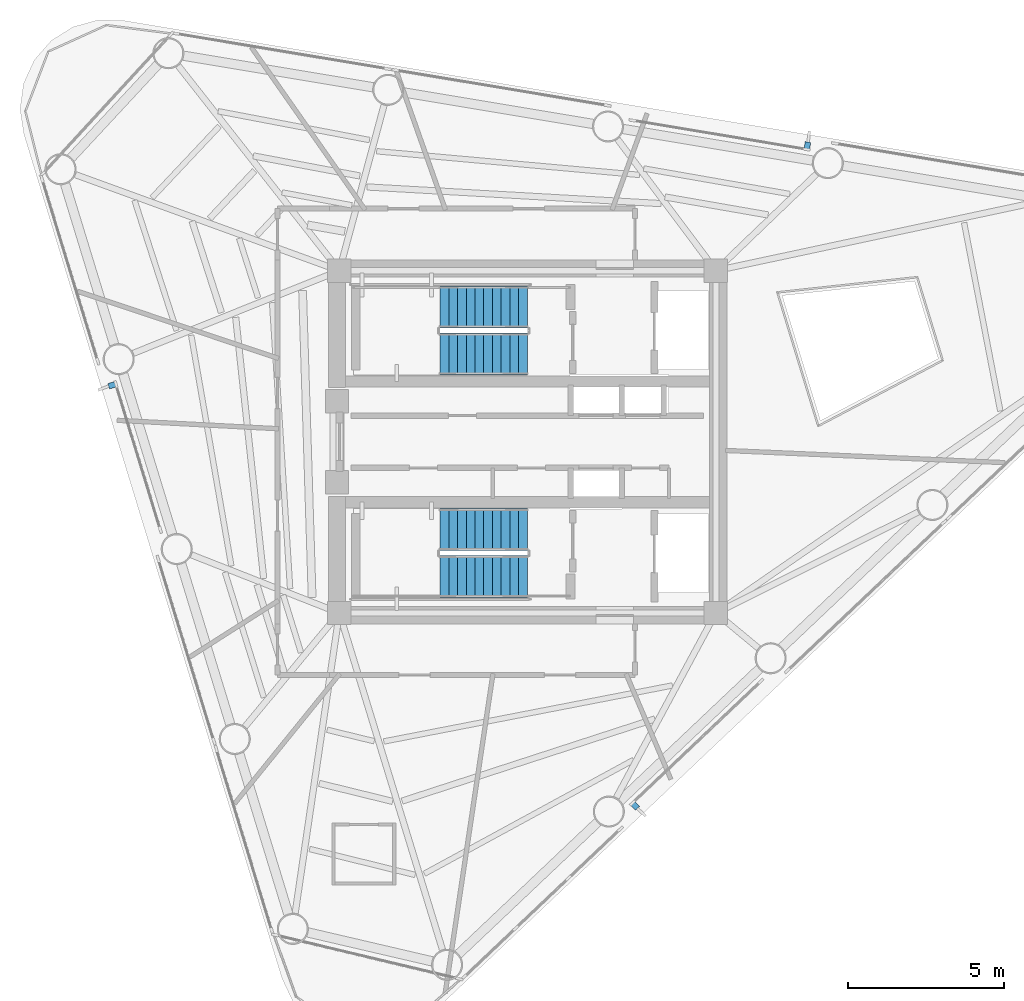
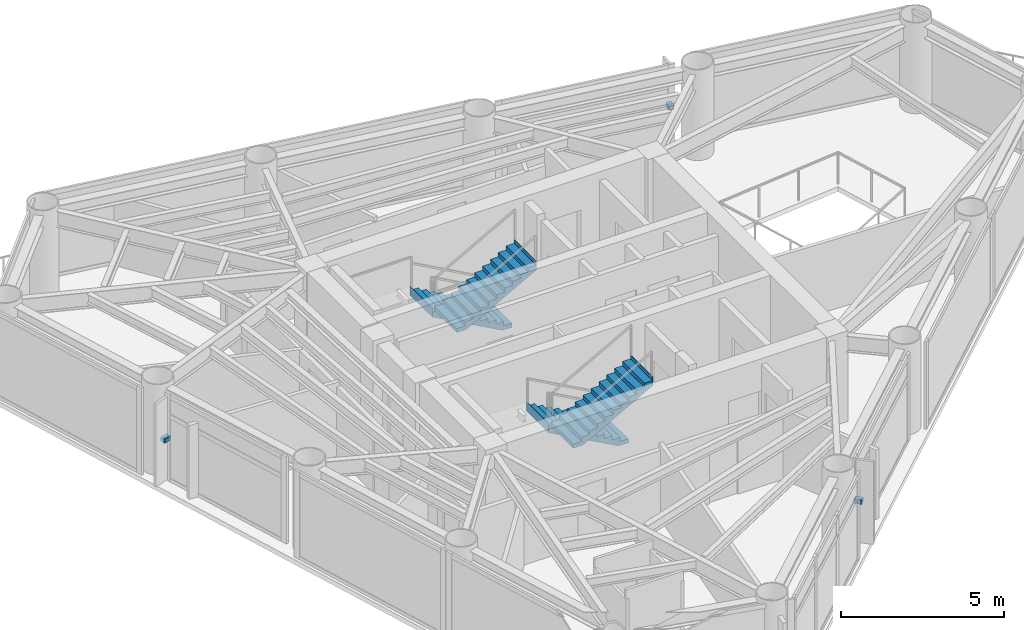
# One storey, part 7 of 9: 4 stair flights, 3 discrete accessories, 2 elements without a shape of their own.
"""IFC4 building model written with IfcOpenShell, lengths in metres."""

from ifc_helpers import new_model, si_unit, direction, frame, origin, origin_2d, place, context, subcontext, project, spatial, polyline, rectangle, outline, extrude, source, transform, mapped, material, type_object, element, aggregate, save


model = new_model("IFC4")

# Units and contexts
model_context = context("Model", 3, precision=1e-05, world=origin(), true_north=direction((0.0, 1.0)))
body_context = subcontext(model_context, "Body", "Model", "MODEL_VIEW")
ifc_project = project(units=[si_unit("LENGTHUNIT", "METRE"), si_unit("AREAUNIT", "SQUARE_METRE"), si_unit("VOLUMEUNIT", "CUBIC_METRE"), si_unit("PLANEANGLEUNIT", "RADIAN"), si_unit("MASSUNIT", "GRAM", prefix="KILO")], contexts=[model_context])

# Site, building, storey
site_placement = place(None, origin())
site = spatial("IfcSite", under=ifc_project, at=site_placement, CompositionType="ELEMENT")
building_placement = place(site_placement, origin())
building = spatial("IfcBuilding", under=site, at=building_placement, Name="Yunling Apex Tower", CompositionType="ELEMENT")
storey_placement = place(building_placement, frame((0.0, 0.0, 232.050048828125)))
storey = spatial("IfcBuildingStorey", under=building, at=storey_placement, Name="L56", CompositionType="ELEMENT", Elevation=232.050048828125)

# Stair, stair flights
ifc_material_1 = material(Name="Concrete C40", Category="concrete")
stair_type = type_object("IfcStairType", Name="ST-TWR-3", PredefinedType="HALF_TURN_STAIR", material=ifc_material_1)
stair_1_placement = place(storey_placement, origin())
stair_1 = element("IfcStair", 1, at=stair_1_placement, inside=storey, type_object=stair_type, Name="L56 North Core Smokeproof Exit Stair ST-1", PredefinedType="HALF_TURN_STAIR")
stair_flight_type = type_object("IfcStairFlightType", Name="SFL-TWR-3", PredefinedType="STRAIGHT", material=ifc_material_1)
stair_flight_1_placement = place(storey_placement, frame((-0.010009765625, 4.330078125, 0.0), z_axis=(0.0, 0.0, 1.0), x_axis=(-1.0, 0.0, 0.0)))
stair_flight_1 = element("IfcStairFlight", 2, at=stair_flight_1_placement, type_object=stair_flight_type, Name="ST-1 flight 1", NumberOfRisers=11, NumberOfTreads=10, PredefinedType="STRAIGHT", RiserHeight=0.154545455, TreadLength=0.28, context=body_context, shape_type="SweptSolid", body=[
    extrude(outline(polyline([(-0.011962890625, 0.0), (-0.011962890625, 0.154541015625), (0.0, 0.154541015625), (0.280029296875, 0.154541015625), (0.280029296875, 0.30908203125), (0.56005859375, 0.30908203125), (0.56005859375, 0.463623046875), (0.840087890625, 0.463623046875), (0.840087890625, 0.6181640625), (1.1201171875, 0.6181640625), (1.1201171875, 0.772705078125), (1.39990234375, 0.772705078125), (1.39990234375, 0.92724609375), (1.679931640625, 0.92724609375), (1.679931640625, 1.081787109375), (1.9599609375, 1.081787109375), (1.9599609375, 1.236328125), (2.239990234375, 1.236328125), (2.239990234375, 1.390869140625), (2.52001953125, 1.390869140625), (2.52001953125, 1.54541015625), (2.800048828125, 1.54541015625), (2.800048828125, 1.699951171875), (2.81201171875, 1.699951171875), (2.81201171875, 1.36279296875), (0.330810546875, 0.0), (-0.011962890625, 0.0)])), frame((0.0, 0.68017578125, 0.0), z_axis=(0.0, -1.0, 0.0), x_axis=(1.0, 0.0, 0.0)), (0.0, 0.0, 1.0), 1.360107421875),
])
stair_flight_2_placement = place(storey_placement, frame((-2.81005859375, 2.820068359375, 1.699951171875), z_axis=(0.0, 0.0, 1.0), x_axis=(1.0, 0.0, 0.0)))
stair_flight_2 = element("IfcStairFlight", 3, at=stair_flight_2_placement, type_object=stair_flight_type, Name="ST-1 flight 2", NumberOfRisers=11, NumberOfTreads=10, PredefinedType="STRAIGHT", RiserHeight=0.154545455, TreadLength=0.28, context=body_context, shape_type="SweptSolid", body=[
    extrude(outline(polyline([(-0.011962890625, 0.0), (-0.011962890625, 0.154541015625), (0.0, 0.154541015625), (0.280029296875, 0.154541015625), (0.280029296875, 0.30908203125), (0.56005859375, 0.30908203125), (0.56005859375, 0.463623046875), (0.840087890625, 0.463623046875), (0.840087890625, 0.6181640625), (1.1201171875, 0.6181640625), (1.1201171875, 0.772705078125), (1.39990234375, 0.772705078125), (1.39990234375, 0.92724609375), (1.679931640625, 0.92724609375), (1.679931640625, 1.081787109375), (1.9599609375, 1.081787109375), (1.9599609375, 1.236328125), (2.239990234375, 1.236328125), (2.239990234375, 1.390869140625), (2.52001953125, 1.390869140625), (2.52001953125, 1.54541015625), (2.800048828125, 1.54541015625), (2.800048828125, 1.699951171875), (2.81201171875, 1.699951171875), (2.81201171875, 1.36279296875), (0.330810546875, 0.0), (-0.011962890625, 0.0)])), frame((0.0, 0.68017578125, 0.0), z_axis=(0.0, -1.0, 0.0), x_axis=(1.0, 0.0, 0.0)), (0.0, 0.0, 1.0), 1.360107421875),
])
aggregate(stair_1, [stair_flight_1, stair_flight_2])

stair_2_placement = place(storey_placement, origin())
stair_2 = element("IfcStair", 4, at=stair_2_placement, inside=storey, type_object=stair_type, Name="L56 South Core Smokeproof Exit Stair ST-2", PredefinedType="HALF_TURN_STAIR")
stair_flight_3_placement = place(storey_placement, frame((-0.010009765625, -2.820068359375, 0.0), z_axis=(0.0, 0.0, 1.0), x_axis=(-1.0, 0.0, 0.0)))
stair_flight_3 = element("IfcStairFlight", 5, at=stair_flight_3_placement, type_object=stair_flight_type, Name="ST-2 flight 1", NumberOfRisers=11, NumberOfTreads=10, PredefinedType="STRAIGHT", RiserHeight=0.154545455, TreadLength=0.28, context=body_context, shape_type="SweptSolid", body=[
    extrude(outline(polyline([(-0.011962890625, 0.0), (-0.011962890625, 0.154541015625), (0.0, 0.154541015625), (0.280029296875, 0.154541015625), (0.280029296875, 0.30908203125), (0.56005859375, 0.30908203125), (0.56005859375, 0.463623046875), (0.840087890625, 0.463623046875), (0.840087890625, 0.6181640625), (1.1201171875, 0.6181640625), (1.1201171875, 0.772705078125), (1.39990234375, 0.772705078125), (1.39990234375, 0.92724609375), (1.679931640625, 0.92724609375), (1.679931640625, 1.081787109375), (1.9599609375, 1.081787109375), (1.9599609375, 1.236328125), (2.239990234375, 1.236328125), (2.239990234375, 1.390869140625), (2.52001953125, 1.390869140625), (2.52001953125, 1.54541015625), (2.800048828125, 1.54541015625), (2.800048828125, 1.699951171875), (2.81201171875, 1.699951171875), (2.81201171875, 1.36279296875), (0.330810546875, 0.0), (-0.011962890625, 0.0)])), frame((0.0, 0.68017578125, 0.0), z_axis=(0.0, -1.0, 0.0), x_axis=(1.0, 0.0, 0.0)), (0.0, 0.0, 1.0), 1.360107421875),
])
stair_flight_4_placement = place(storey_placement, frame((-2.81005859375, -4.330078125, 1.699951171875), z_axis=(0.0, 0.0, 1.0), x_axis=(1.0, 0.0, 0.0)))
stair_flight_4 = element("IfcStairFlight", 6, at=stair_flight_4_placement, type_object=stair_flight_type, Name="ST-2 flight 2", NumberOfRisers=11, NumberOfTreads=10, PredefinedType="STRAIGHT", RiserHeight=0.154545455, TreadLength=0.28, context=body_context, shape_type="SweptSolid", body=[
    extrude(outline(polyline([(-0.011962890625, 0.0), (-0.011962890625, 0.154541015625), (0.0, 0.154541015625), (0.280029296875, 0.154541015625), (0.280029296875, 0.30908203125), (0.56005859375, 0.30908203125), (0.56005859375, 0.463623046875), (0.840087890625, 0.463623046875), (0.840087890625, 0.6181640625), (1.1201171875, 0.6181640625), (1.1201171875, 0.772705078125), (1.39990234375, 0.772705078125), (1.39990234375, 0.92724609375), (1.679931640625, 0.92724609375), (1.679931640625, 1.081787109375), (1.9599609375, 1.081787109375), (1.9599609375, 1.236328125), (2.239990234375, 1.236328125), (2.239990234375, 1.390869140625), (2.52001953125, 1.390869140625), (2.52001953125, 1.54541015625), (2.800048828125, 1.54541015625), (2.800048828125, 1.699951171875), (2.81201171875, 1.699951171875), (2.81201171875, 1.36279296875), (0.330810546875, 0.0), (-0.011962890625, 0.0)])), frame((0.0, 0.68017578125, 0.0), z_axis=(0.0, -1.0, 0.0), x_axis=(1.0, 0.0, 0.0)), (0.0, 0.0, 1.0), 1.360107421875),
])
aggregate(stair_2, [stair_flight_3, stair_flight_4])

# Discrete accessories
ifc_material_2 = material(Name="Steel Q355B", Category="steel")
discrete_accessory_type = type_object("IfcDiscreteAccessoryType", Name="BK-FIN-1", PredefinedType="BRACKET", material=ifc_material_2)
shared_shape = source(origin(), body_context, "Body", "SweptSolid", [
    extrude(rectangle(XDim=0.179931640625, YDim=0.260009765625, at=origin_2d()), origin(), (0.0, 0.0, 1.0), 0.159912109375),
])
for number, where, z_axis, x_axis, name in (
    (7, (3.443603515625, -11.68505859375, 1.52978515625), (0.0, 0.0, 1.0), (0.725854756355, 0.687848001144, 0.0), "CW-L56-F1-B2-BRK-01-1"),
    (8, (8.989013671875, 9.502197265625, 1.52978515625), (0.0, 0.0, 1.0), (-0.986400586142, 0.164359008451, 0.0), "CW-L56-F2-B2-BRK-01-1"),
    (9, (-13.33642578125, 1.822265625, 1.52978515625), (0.0, 0.0, 1.0), (0.292371704723, -0.956304755963, 0.0), "CW-L56-F3-B2-BRK-01-1"),
):
    element("IfcDiscreteAccessory", number, at=place(storey_placement, frame(where, z_axis=z_axis, x_axis=x_axis)), inside=storey, type_object=discrete_accessory_type, Name=name, PredefinedType="BRACKET", context=body_context, shape_type="MappedRepresentation", body=[
        mapped(shared_shape, transform((0.0, 0.0, 0.0), scale=1.0)),
    ])

save(model, "model.ifc")
